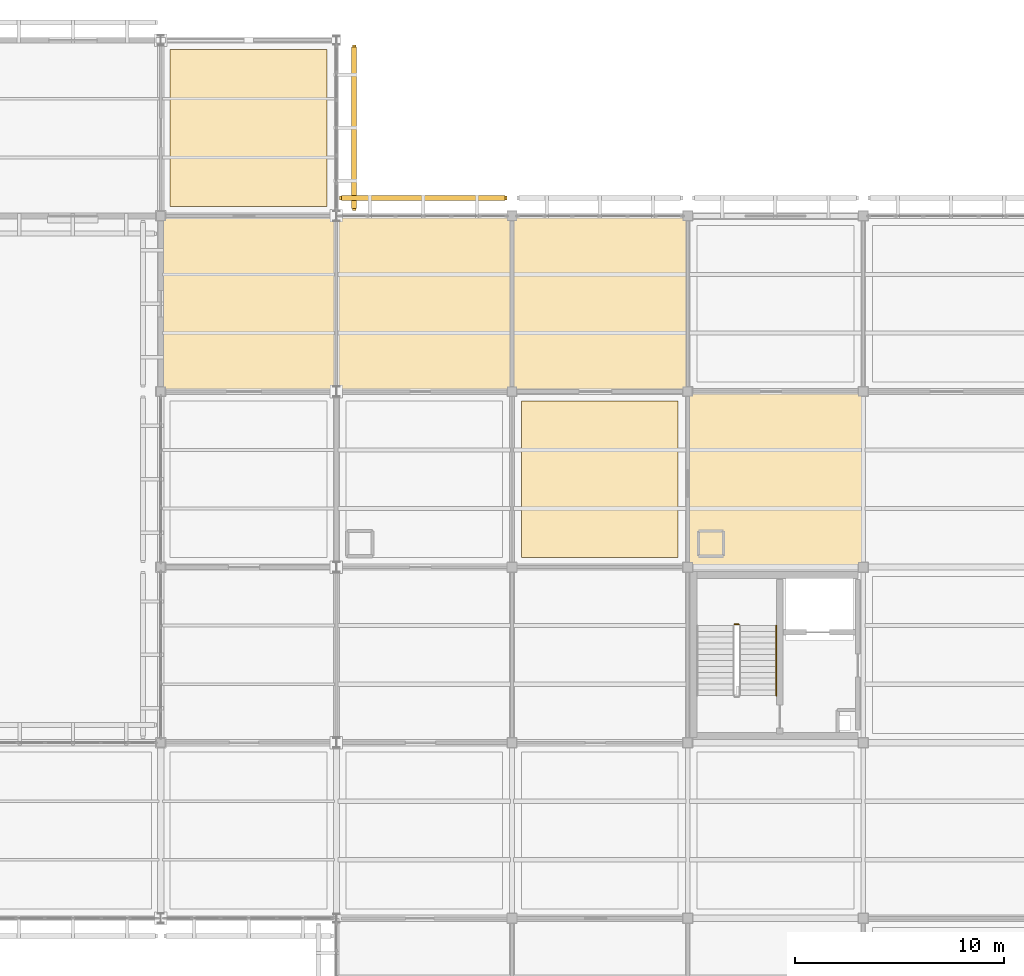
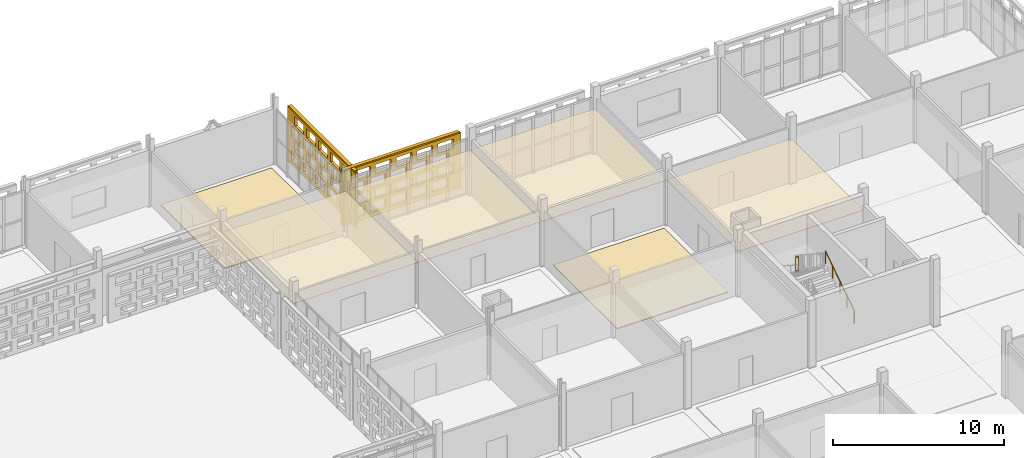
# One storey, part 200 of 203: 8 coverings, 2 railings, 2 shading devices, 40 openings.
"""IFC4 building model written with IfcOpenShell, lengths in metres."""

from ifc_helpers import new_model, si_unit, direction, frame, frame_2d, origin, origin_2d, place, context, subcontext, project, spatial, rectangle, circle, extrude, material, layer, layer_set, type_object, element, save


model = new_model("IFC4")

# Units and contexts
model_context = context("Model", 3, precision=1e-05, world=origin(), true_north=direction((0.0, 1.0)))
body_context = subcontext(model_context, "Body", "Model", "MODEL_VIEW")
ifc_project = project(units=[si_unit("LENGTHUNIT", "METRE"), si_unit("AREAUNIT", "SQUARE_METRE"), si_unit("VOLUMEUNIT", "CUBIC_METRE"), si_unit("PLANEANGLEUNIT", "RADIAN"), si_unit("MASSUNIT", "GRAM", prefix="KILO")], contexts=[model_context])

# Site, building, storey
site_placement = place(None, origin())
site = spatial("IfcSite", under=ifc_project, at=site_placement, CompositionType="ELEMENT")
building_placement = place(site_placement, origin())
building = spatial("IfcBuilding", under=site, at=building_placement, Name="Varnapada Polytechnic", CompositionType="ELEMENT")
storey_placement = place(building_placement, frame((0.0, 0.0, 4.800048828125)))
storey = spatial("IfcBuildingStorey", under=building, at=storey_placement, Name="L01", CompositionType="ELEMENT", Elevation=4.800048828125)

# Coverings
ifc_material_1 = material(Name="End-Grain Timber Studio Block Flooring", Category="wood")
ifc_layer_1 = layer(ifc_material_1, 0.054931640625)
ifc_layer_set_1 = layer_set([ifc_layer_1], Name="End-Grain Timber Studio Block Flooring")
covering_type_1 = type_object("IfcCoveringType", Name="Floor Finish FLR-04", PredefinedType="FLOORING", material=ifc_layer_set_1)
for number, where, z_axis, x_axis, name in (
    (1, (130.199951171875, 121.800048828125, 0.0), (0.0, 0.0, 1.0), (1.0, 0.0, 0.0), "L01 floor finish panel (16,15)"),
    (2, (147.0, 105.0, 0.0), (0.0, 0.0, 1.0), (1.0, 0.0, 0.0), "L01 floor finish panel (18,13)"),
):
    element("IfcCovering", number, at=place(storey_placement, frame(where, z_axis=z_axis, x_axis=x_axis)), inside=storey, type_object=covering_type_1, Name=name, PredefinedType="FLOORING", context=body_context, shape_type="SweptSolid", body=[
        extrude(rectangle(XDim=7.5, YDim=7.5, at=origin_2d()), origin(), (0.0, 0.0, 1.0), 0.054931640625),
    ])

# Railings
ifc_material_2 = material(Name="Brushed Stainless Steel 316", Category="steel")
railing_type_1 = type_object("IfcRailingType", Name="Stair Wall Handrail SHR-01", PredefinedType="HANDRAIL", material=ifc_material_2)
railing_1_placement = place(storey_placement, frame((155.449951171875, 94.64990234375, 0.1845703125)))
element("IfcRailing", 3, at=railing_1_placement, inside=storey, type_object=railing_type_1, Name="L01 ST-5 stair handrail 1", PredefinedType="HANDRAIL", context=body_context, shape_type="SweptSolid", body=[
    extrude(circle(Radius=0.02392578125, at=origin_2d()), frame((0.0, 0.0, 0.8759765625), z_axis=(0.0, 0.834876476806, 0.550437342915), x_axis=(-1.0, 0.0, 0.0)), (0.0, 0.0, 1.0), 4.024658203125),
    extrude(circle(Radius=0.02099609375, at=origin_2d()), origin(), (0.0, 0.0, 1.0), 0.851806640625),
    extrude(circle(Radius=0.02099609375, at=origin_2d()), frame((0.0, 0.840087890625, 0.5537109375)), (0.0, 0.0, 1.0), 0.851806640625),
    extrude(circle(Radius=0.02099609375, at=origin_2d()), frame((0.0, 1.68017578125, 1.107666015625)), (0.0, 0.0, 1.0), 0.851806640625),
    extrude(circle(Radius=0.02099609375, at=origin_2d()), frame((0.0, 2.52001953125, 1.66162109375)), (0.0, 0.0, 1.0), 0.851806640625),
    extrude(circle(Radius=0.02099609375, at=origin_2d()), frame((0.0, 3.360107421875, 2.21533203125)), (0.0, 0.0, 1.0), 0.851806640625),
])
railing_type_2 = type_object("IfcRailingType", Name="Stair Well Guard Rail SGR-01", PredefinedType="BALUSTRADE", material=ifc_material_2)
railing_2_placement = place(storey_placement, frame((153.64990234375, 98.06005859375, 2.39990234375)))
element("IfcRailing", 4, at=railing_2_placement, inside=storey, type_object=railing_type_2, Name="L01 ST-5 stair guard 2", PredefinedType="BALUSTRADE", context=body_context, shape_type="SweptSolid", body=[
    extrude(circle(Radius=0.02392578125, at=origin_2d()), frame((0.0, 0.0, 1.09619140625), z_axis=(-1.0, 0.0, 0.0), x_axis=(0.0, -1.0, 0.0)), (0.0, 0.0, 1.0), 0.199951171875),
    extrude(circle(Radius=0.02392578125, at=origin_2d()), frame((0.0, 0.0, 0.10009765625), z_axis=(-1.0, 0.0, 0.0), x_axis=(0.0, -1.0, 0.0)), (0.0, 0.0, 1.0), 0.199951171875),
    extrude(circle(Radius=0.02099609375, at=origin_2d()), origin(), (0.0, 0.0, 1.0), 1.072021484375),
    extrude(circle(Radius=0.02099609375, at=origin_2d()), frame((-0.199951171875, 0.0, 0.0)), (0.0, 0.0, 1.0), 1.072021484375),
])

# Coverings
ifc_material_3 = material(Name="Mineral Fibre Acoustic Ceiling Tile")
ifc_layer_2 = layer(ifc_material_3, 0.0400390625)
ifc_layer_set_2 = layer_set([ifc_layer_2], Name="Mineral Fibre Acoustic Ceiling Tile")
covering_type_2 = type_object("IfcCoveringType", Name="Suspended Ceiling CLG-01", PredefinedType="CEILING", material=ifc_layer_set_2)
covering_1_placement = place(storey_placement, frame((147.0, 113.39990234375, 3.030029296875), z_axis=(0.0, 0.0, 1.0), x_axis=(1.0, 0.0, 0.0)))
element("IfcCovering", 5, at=covering_1_placement, inside=storey, type_object=covering_type_2, Name="L01 suspended acoustic ceiling (18,14)", PredefinedType="CEILING", context=body_context, shape_type="SweptSolid", body=[
    extrude(rectangle(XDim=8.419921875, YDim=8.419921875, at=origin_2d()), origin(), (0.0, 0.0, 1.0), 0.0400390625),
])
ifc_material_4 = material(Name="Moisture-Resistant Aluminum Baffle Ceiling", Category="aluminium")
ifc_layer_3 = layer(ifc_material_4, 0.030029296875)
ifc_layer_set_3 = layer_set([ifc_layer_3], Name="Moisture-Resistant Aluminum Baffle Ceiling")
covering_type_3 = type_object("IfcCoveringType", Name="Suspended Ceiling CLG-03", PredefinedType="CEILING", material=ifc_layer_set_3)
for number, where, z_axis, x_axis, name in (
    (6, (130.199951171875, 113.39990234375, 3.03515625), (0.0, 0.0, 1.0), (1.0, 0.0, 0.0), "L01 suspended acoustic ceiling (16,14)"),
    (7, (138.60009765625, 113.39990234375, 3.03515625), (0.0, 0.0, 1.0), (1.0, 0.0, 0.0), "L01 suspended acoustic ceiling (17,14)"),
):
    element("IfcCovering", number, at=place(storey_placement, frame(where, z_axis=z_axis, x_axis=x_axis)), inside=storey, type_object=covering_type_3, Name=name, PredefinedType="CEILING", context=body_context, shape_type="SweptSolid", body=[
        extrude(rectangle(XDim=8.419921875, YDim=8.419921875, at=origin_2d()), origin(), (0.0, 0.0, 1.0), 0.030029296875),
    ])
ifc_material_5 = material(Name="Micro-Perforated Gypsum Acoustic Ceiling")
ifc_layer_4 = layer(ifc_material_5, 0.044921875)
ifc_layer_set_4 = layer_set([ifc_layer_4], Name="Micro-Perforated Gypsum Acoustic Ceiling")
covering_type_4 = type_object("IfcCoveringType", Name="Suspended Ceiling CLG-04", PredefinedType="CEILING", material=ifc_layer_set_4)
covering_2_placement = place(storey_placement, frame((155.39990234375, 105.0, 3.027587890625), z_axis=(0.0, 0.0, 1.0), x_axis=(1.0, 0.0, 0.0)))
element("IfcCovering", 8, at=covering_2_placement, inside=storey, type_object=covering_type_4, Name="L01 suspended acoustic ceiling (19,13)", PredefinedType="CEILING", context=body_context, shape_type="SweptSolid", body=[
    extrude(rectangle(XDim=8.419921875, YDim=8.419921875, at=origin_2d()), origin(), (0.0, 0.0, 1.0), 0.044921875),
])

# Covering, openings
ifc_material_6 = material(Name="Earth-toned architectural terracotta screen block", Category="masonry")
ifc_layer_5 = layer(ifc_material_6, 0.1201171875)
ifc_layer_set_5 = layer_set([ifc_layer_5], Name="Earth-toned architectural terracotta screen block")
covering_type_5 = type_object("IfcCoveringType", Name="Terracotta Screen Cladding CLD-01", PredefinedType="CLADDING", material=ifc_layer_set_5)
covering_3_placement = place(storey_placement, frame((135.25, 125.780029296875, 0.0), z_axis=(0.0, 0.0, 1.0), x_axis=(0.0, -1.0, 0.0)))
covering_3 = element("IfcCovering", 9, at=covering_3_placement, inside=storey, type_object=covering_type_5, Name="L01 perforated terracotta block screen (112)", PredefinedType="CLADDING", context=body_context, shape_type="SweptSolid", body=[
    extrude(rectangle(XDim=7.929931640625, YDim=0.179931640625, at=frame_2d((3.96484375, 0.0))), origin(), (0.0, 0.0, 1.0), 3.919921875),
])
opening_1_placement = place(covering_3_placement, frame((0.465087890625, 0.0, 0.313720703125)))
element("IfcOpeningElement", 10, at=opening_1_placement, cuts=covering_3, Name="Screen perforation TBS-L01-111.1", PredefinedType="OPENING", context=body_context, shape_type="SweptSolid", body=[
    extrude(rectangle(XDim=1.0400390625, YDim=0.679931640625, at=frame_2d((0.52001953125, 0.33984375))), frame((0.0, 0.099853515625, 0.0), z_axis=(0.0, -1.0, 0.0), x_axis=(1.0, 0.0, 0.0)), (0.0, 0.0, 1.0), 0.199951171875),
])
opening_2_placement = place(covering_3_placement, frame((1.864990234375, 0.0, 0.313720703125)))
element("IfcOpeningElement", 11, at=opening_2_placement, cuts=covering_3, Name="Screen perforation TBS-L01-111.2", PredefinedType="OPENING", context=body_context, shape_type="SweptSolid", body=[
    extrude(rectangle(XDim=1.0400390625, YDim=0.679931640625, at=frame_2d((0.52001953125, 0.33984375))), frame((0.0, 0.099853515625, 0.0), z_axis=(0.0, -1.0, 0.0), x_axis=(1.0, 0.0, 0.0)), (0.0, 0.0, 1.0), 0.199951171875),
])
opening_3_placement = place(covering_3_placement, frame((3.264892578125, 0.0, 0.313720703125)))
element("IfcOpeningElement", 12, at=opening_3_placement, cuts=covering_3, Name="Screen perforation TBS-L01-111.3", PredefinedType="OPENING", context=body_context, shape_type="SweptSolid", body=[
    extrude(rectangle(XDim=1.0400390625, YDim=0.679931640625, at=frame_2d((0.52001953125, 0.33984375))), frame((0.0, 0.099853515625, 0.0), z_axis=(0.0, -1.0, 0.0), x_axis=(1.0, 0.0, 0.0)), (0.0, 0.0, 1.0), 0.199951171875),
])
opening_4_placement = place(covering_3_placement, frame((4.6650390625, 0.0, 0.313720703125)))
element("IfcOpeningElement", 13, at=opening_4_placement, cuts=covering_3, Name="Screen perforation TBS-L01-111.4", PredefinedType="OPENING", context=body_context, shape_type="SweptSolid", body=[
    extrude(rectangle(XDim=1.0400390625, YDim=0.679931640625, at=frame_2d((0.52001953125, 0.33984375))), frame((0.0, 0.099853515625, 0.0), z_axis=(0.0, -1.0, 0.0), x_axis=(1.0, 0.0, 0.0)), (0.0, 0.0, 1.0), 0.199951171875),
])
opening_5_placement = place(covering_3_placement, frame((6.06494140625, 0.0, 0.313720703125)))
element("IfcOpeningElement", 14, at=opening_5_placement, cuts=covering_3, Name="Screen perforation TBS-L01-111.5", PredefinedType="OPENING", context=body_context, shape_type="SweptSolid", body=[
    extrude(rectangle(XDim=1.0400390625, YDim=0.679931640625, at=frame_2d((0.52001953125, 0.33984375))), frame((0.0, 0.099853515625, 0.0), z_axis=(0.0, -1.0, 0.0), x_axis=(1.0, 0.0, 0.0)), (0.0, 0.0, 1.0), 0.199951171875),
])
opening_6_placement = place(covering_3_placement, frame((0.824951171875, 0.0, 1.195556640625)))
element("IfcOpeningElement", 15, at=opening_6_placement, cuts=covering_3, Name="Screen perforation TBS-L01-111.6", PredefinedType="OPENING", context=body_context, shape_type="SweptSolid", body=[
    extrude(rectangle(XDim=1.0400390625, YDim=0.679931640625, at=frame_2d((0.52001953125, 0.33984375))), frame((0.0, 0.099853515625, 0.0), z_axis=(0.0, -1.0, 0.0), x_axis=(1.0, 0.0, 0.0)), (0.0, 0.0, 1.0), 0.199951171875),
])
opening_7_placement = place(covering_3_placement, frame((2.22509765625, 0.0, 1.195556640625)))
element("IfcOpeningElement", 16, at=opening_7_placement, cuts=covering_3, Name="Screen perforation TBS-L01-111.7", PredefinedType="OPENING", context=body_context, shape_type="SweptSolid", body=[
    extrude(rectangle(XDim=1.0400390625, YDim=0.679931640625, at=frame_2d((0.52001953125, 0.33984375))), frame((0.0, 0.099853515625, 0.0), z_axis=(0.0, -1.0, 0.0), x_axis=(1.0, 0.0, 0.0)), (0.0, 0.0, 1.0), 0.199951171875),
])
opening_8_placement = place(covering_3_placement, frame((3.625, 0.0, 1.195556640625)))
element("IfcOpeningElement", 17, at=opening_8_placement, cuts=covering_3, Name="Screen perforation TBS-L01-111.8", PredefinedType="OPENING", context=body_context, shape_type="SweptSolid", body=[
    extrude(rectangle(XDim=1.0400390625, YDim=0.679931640625, at=frame_2d((0.52001953125, 0.33984375))), frame((0.0, 0.099853515625, 0.0), z_axis=(0.0, -1.0, 0.0), x_axis=(1.0, 0.0, 0.0)), (0.0, 0.0, 1.0), 0.199951171875),
])
opening_9_placement = place(covering_3_placement, frame((5.02490234375, 0.0, 1.195556640625)))
element("IfcOpeningElement", 18, at=opening_9_placement, cuts=covering_3, Name="Screen perforation TBS-L01-111.9", PredefinedType="OPENING", context=body_context, shape_type="SweptSolid", body=[
    extrude(rectangle(XDim=1.0400390625, YDim=0.679931640625, at=frame_2d((0.52001953125, 0.33984375))), frame((0.0, 0.099853515625, 0.0), z_axis=(0.0, -1.0, 0.0), x_axis=(1.0, 0.0, 0.0)), (0.0, 0.0, 1.0), 0.199951171875),
])
opening_10_placement = place(covering_3_placement, frame((6.425048828125, 0.0, 1.195556640625)))
element("IfcOpeningElement", 19, at=opening_10_placement, cuts=covering_3, Name="Screen perforation TBS-L01-111.10", PredefinedType="OPENING", context=body_context, shape_type="SweptSolid", body=[
    extrude(rectangle(XDim=1.0400390625, YDim=0.679931640625, at=frame_2d((0.52001953125, 0.33984375))), frame((0.0, 0.099853515625, 0.0), z_axis=(0.0, -1.0, 0.0), x_axis=(1.0, 0.0, 0.0)), (0.0, 0.0, 1.0), 0.199951171875),
])
opening_11_placement = place(covering_3_placement, frame((0.465087890625, 0.0, 2.07763671875)))
element("IfcOpeningElement", 20, at=opening_11_placement, cuts=covering_3, Name="Screen perforation TBS-L01-111.11", PredefinedType="OPENING", context=body_context, shape_type="SweptSolid", body=[
    extrude(rectangle(XDim=1.0400390625, YDim=0.679931640625, at=frame_2d((0.52001953125, 0.33984375))), frame((0.0, 0.099853515625, 0.0), z_axis=(0.0, -1.0, 0.0), x_axis=(1.0, 0.0, 0.0)), (0.0, 0.0, 1.0), 0.199951171875),
])
opening_12_placement = place(covering_3_placement, frame((1.864990234375, 0.0, 2.07763671875)))
element("IfcOpeningElement", 21, at=opening_12_placement, cuts=covering_3, Name="Screen perforation TBS-L01-111.12", PredefinedType="OPENING", context=body_context, shape_type="SweptSolid", body=[
    extrude(rectangle(XDim=1.0400390625, YDim=0.679931640625, at=frame_2d((0.52001953125, 0.33984375))), frame((0.0, 0.099853515625, 0.0), z_axis=(0.0, -1.0, 0.0), x_axis=(1.0, 0.0, 0.0)), (0.0, 0.0, 1.0), 0.199951171875),
])
opening_13_placement = place(covering_3_placement, frame((3.264892578125, 0.0, 2.07763671875)))
element("IfcOpeningElement", 22, at=opening_13_placement, cuts=covering_3, Name="Screen perforation TBS-L01-111.13", PredefinedType="OPENING", context=body_context, shape_type="SweptSolid", body=[
    extrude(rectangle(XDim=1.0400390625, YDim=0.679931640625, at=frame_2d((0.52001953125, 0.33984375))), frame((0.0, 0.099853515625, 0.0), z_axis=(0.0, -1.0, 0.0), x_axis=(1.0, 0.0, 0.0)), (0.0, 0.0, 1.0), 0.199951171875),
])
opening_14_placement = place(covering_3_placement, frame((4.6650390625, 0.0, 2.07763671875)))
element("IfcOpeningElement", 23, at=opening_14_placement, cuts=covering_3, Name="Screen perforation TBS-L01-111.14", PredefinedType="OPENING", context=body_context, shape_type="SweptSolid", body=[
    extrude(rectangle(XDim=1.0400390625, YDim=0.679931640625, at=frame_2d((0.52001953125, 0.33984375))), frame((0.0, 0.099853515625, 0.0), z_axis=(0.0, -1.0, 0.0), x_axis=(1.0, 0.0, 0.0)), (0.0, 0.0, 1.0), 0.199951171875),
])
opening_15_placement = place(covering_3_placement, frame((6.06494140625, 0.0, 2.07763671875)))
element("IfcOpeningElement", 24, at=opening_15_placement, cuts=covering_3, Name="Screen perforation TBS-L01-111.15", PredefinedType="OPENING", context=body_context, shape_type="SweptSolid", body=[
    extrude(rectangle(XDim=1.0400390625, YDim=0.679931640625, at=frame_2d((0.52001953125, 0.33984375))), frame((0.0, 0.099853515625, 0.0), z_axis=(0.0, -1.0, 0.0), x_axis=(1.0, 0.0, 0.0)), (0.0, 0.0, 1.0), 0.199951171875),
])
opening_16_placement = place(covering_3_placement, frame((0.824951171875, 0.0, 2.959716796875)))
element("IfcOpeningElement", 25, at=opening_16_placement, cuts=covering_3, Name="Screen perforation TBS-L01-111.16", PredefinedType="OPENING", context=body_context, shape_type="SweptSolid", body=[
    extrude(rectangle(XDim=1.0400390625, YDim=0.679931640625, at=frame_2d((0.52001953125, 0.33984375))), frame((0.0, 0.099853515625, 0.0), z_axis=(0.0, -1.0, 0.0), x_axis=(1.0, 0.0, 0.0)), (0.0, 0.0, 1.0), 0.199951171875),
])
opening_17_placement = place(covering_3_placement, frame((2.22509765625, 0.0, 2.959716796875)))
element("IfcOpeningElement", 26, at=opening_17_placement, cuts=covering_3, Name="Screen perforation TBS-L01-111.17", PredefinedType="OPENING", context=body_context, shape_type="SweptSolid", body=[
    extrude(rectangle(XDim=1.0400390625, YDim=0.679931640625, at=frame_2d((0.52001953125, 0.33984375))), frame((0.0, 0.099853515625, 0.0), z_axis=(0.0, -1.0, 0.0), x_axis=(1.0, 0.0, 0.0)), (0.0, 0.0, 1.0), 0.199951171875),
])
opening_18_placement = place(covering_3_placement, frame((3.625, 0.0, 2.959716796875)))
element("IfcOpeningElement", 27, at=opening_18_placement, cuts=covering_3, Name="Screen perforation TBS-L01-111.18", PredefinedType="OPENING", context=body_context, shape_type="SweptSolid", body=[
    extrude(rectangle(XDim=1.0400390625, YDim=0.679931640625, at=frame_2d((0.52001953125, 0.33984375))), frame((0.0, 0.099853515625, 0.0), z_axis=(0.0, -1.0, 0.0), x_axis=(1.0, 0.0, 0.0)), (0.0, 0.0, 1.0), 0.199951171875),
])
opening_19_placement = place(covering_3_placement, frame((5.02490234375, 0.0, 2.959716796875)))
element("IfcOpeningElement", 28, at=opening_19_placement, cuts=covering_3, Name="Screen perforation TBS-L01-111.19", PredefinedType="OPENING", context=body_context, shape_type="SweptSolid", body=[
    extrude(rectangle(XDim=1.0400390625, YDim=0.679931640625, at=frame_2d((0.52001953125, 0.33984375))), frame((0.0, 0.099853515625, 0.0), z_axis=(0.0, -1.0, 0.0), x_axis=(1.0, 0.0, 0.0)), (0.0, 0.0, 1.0), 0.199951171875),
])
opening_20_placement = place(covering_3_placement, frame((6.425048828125, 0.0, 2.959716796875)))
element("IfcOpeningElement", 29, at=opening_20_placement, cuts=covering_3, Name="Screen perforation TBS-L01-111.20", PredefinedType="OPENING", context=body_context, shape_type="SweptSolid", body=[
    extrude(rectangle(XDim=1.0400390625, YDim=0.679931640625, at=frame_2d((0.52001953125, 0.33984375))), frame((0.0, 0.099853515625, 0.0), z_axis=(0.0, -1.0, 0.0), x_axis=(1.0, 0.0, 0.0)), (0.0, 0.0, 1.0), 0.199951171875),
])

covering_4_placement = place(storey_placement, frame((134.550048828125, 118.449951171875, 0.0), z_axis=(0.0, 0.0, 1.0), x_axis=(1.0, 0.0, 0.0)))
covering_4 = element("IfcCovering", 30, at=covering_4_placement, inside=storey, type_object=covering_type_5, Name="L01 perforated terracotta block screen (119)", PredefinedType="CLADDING", context=body_context, shape_type="SweptSolid", body=[
    extrude(rectangle(XDim=8.02001953125, YDim=0.179931640625, at=frame_2d((4.010009765625, 0.0))), origin(), (0.0, 0.0, 1.0), 3.919921875),
])
opening_21_placement = place(covering_4_placement, frame((0.510009765625, 0.0, 0.313720703125)))
element("IfcOpeningElement", 31, at=opening_21_placement, cuts=covering_4, Name="Screen perforation TBS-L01-118.1", PredefinedType="OPENING", context=body_context, shape_type="SweptSolid", body=[
    extrude(rectangle(XDim=1.0400390625, YDim=0.679931640625, at=frame_2d((0.52001953125, 0.33984375))), frame((0.0, 0.099853515625, 0.0), z_axis=(0.0, -1.0, 0.0), x_axis=(1.0, 0.0, 0.0)), (0.0, 0.0, 1.0), 0.199951171875),
])
opening_22_placement = place(covering_4_placement, frame((1.909912109375, 0.0, 0.313720703125)))
element("IfcOpeningElement", 32, at=opening_22_placement, cuts=covering_4, Name="Screen perforation TBS-L01-118.2", PredefinedType="OPENING", context=body_context, shape_type="SweptSolid", body=[
    extrude(rectangle(XDim=1.0400390625, YDim=0.679931640625, at=frame_2d((0.52001953125, 0.33984375))), frame((0.0, 0.099853515625, 0.0), z_axis=(0.0, -1.0, 0.0), x_axis=(1.0, 0.0, 0.0)), (0.0, 0.0, 1.0), 0.199951171875),
])
opening_23_placement = place(covering_4_placement, frame((3.31005859375, 0.0, 0.313720703125)))
element("IfcOpeningElement", 33, at=opening_23_placement, cuts=covering_4, Name="Screen perforation TBS-L01-118.3", PredefinedType="OPENING", context=body_context, shape_type="SweptSolid", body=[
    extrude(rectangle(XDim=1.0400390625, YDim=0.679931640625, at=frame_2d((0.52001953125, 0.33984375))), frame((0.0, 0.099853515625, 0.0), z_axis=(0.0, -1.0, 0.0), x_axis=(1.0, 0.0, 0.0)), (0.0, 0.0, 1.0), 0.199951171875),
])
opening_24_placement = place(covering_4_placement, frame((4.7099609375, 0.0, 0.313720703125)))
element("IfcOpeningElement", 34, at=opening_24_placement, cuts=covering_4, Name="Screen perforation TBS-L01-118.4", PredefinedType="OPENING", context=body_context, shape_type="SweptSolid", body=[
    extrude(rectangle(XDim=1.0400390625, YDim=0.679931640625, at=frame_2d((0.52001953125, 0.33984375))), frame((0.0, 0.099853515625, 0.0), z_axis=(0.0, -1.0, 0.0), x_axis=(1.0, 0.0, 0.0)), (0.0, 0.0, 1.0), 0.199951171875),
])
opening_25_placement = place(covering_4_placement, frame((6.110107421875, 0.0, 0.313720703125)))
element("IfcOpeningElement", 35, at=opening_25_placement, cuts=covering_4, Name="Screen perforation TBS-L01-118.5", PredefinedType="OPENING", context=body_context, shape_type="SweptSolid", body=[
    extrude(rectangle(XDim=1.0400390625, YDim=0.679931640625, at=frame_2d((0.52001953125, 0.33984375))), frame((0.0, 0.099853515625, 0.0), z_axis=(0.0, -1.0, 0.0), x_axis=(1.0, 0.0, 0.0)), (0.0, 0.0, 1.0), 0.199951171875),
])
opening_26_placement = place(covering_4_placement, frame((0.8701171875, 0.0, 1.195556640625)))
element("IfcOpeningElement", 36, at=opening_26_placement, cuts=covering_4, Name="Screen perforation TBS-L01-118.6", PredefinedType="OPENING", context=body_context, shape_type="SweptSolid", body=[
    extrude(rectangle(XDim=1.0400390625, YDim=0.679931640625, at=frame_2d((0.52001953125, 0.33984375))), frame((0.0, 0.099853515625, 0.0), z_axis=(0.0, -1.0, 0.0), x_axis=(1.0, 0.0, 0.0)), (0.0, 0.0, 1.0), 0.199951171875),
])
opening_27_placement = place(covering_4_placement, frame((2.27001953125, 0.0, 1.195556640625)))
element("IfcOpeningElement", 37, at=opening_27_placement, cuts=covering_4, Name="Screen perforation TBS-L01-118.7", PredefinedType="OPENING", context=body_context, shape_type="SweptSolid", body=[
    extrude(rectangle(XDim=1.0400390625, YDim=0.679931640625, at=frame_2d((0.52001953125, 0.33984375))), frame((0.0, 0.099853515625, 0.0), z_axis=(0.0, -1.0, 0.0), x_axis=(1.0, 0.0, 0.0)), (0.0, 0.0, 1.0), 0.199951171875),
])
opening_28_placement = place(covering_4_placement, frame((3.669921875, 0.0, 1.195556640625)))
element("IfcOpeningElement", 38, at=opening_28_placement, cuts=covering_4, Name="Screen perforation TBS-L01-118.8", PredefinedType="OPENING", context=body_context, shape_type="SweptSolid", body=[
    extrude(rectangle(XDim=1.0400390625, YDim=0.679931640625, at=frame_2d((0.52001953125, 0.33984375))), frame((0.0, 0.099853515625, 0.0), z_axis=(0.0, -1.0, 0.0), x_axis=(1.0, 0.0, 0.0)), (0.0, 0.0, 1.0), 0.199951171875),
])
opening_29_placement = place(covering_4_placement, frame((5.070068359375, 0.0, 1.195556640625)))
element("IfcOpeningElement", 39, at=opening_29_placement, cuts=covering_4, Name="Screen perforation TBS-L01-118.9", PredefinedType="OPENING", context=body_context, shape_type="SweptSolid", body=[
    extrude(rectangle(XDim=1.0400390625, YDim=0.679931640625, at=frame_2d((0.52001953125, 0.33984375))), frame((0.0, 0.099853515625, 0.0), z_axis=(0.0, -1.0, 0.0), x_axis=(1.0, 0.0, 0.0)), (0.0, 0.0, 1.0), 0.199951171875),
])
opening_30_placement = place(covering_4_placement, frame((6.469970703125, 0.0, 1.195556640625)))
element("IfcOpeningElement", 40, at=opening_30_placement, cuts=covering_4, Name="Screen perforation TBS-L01-118.10", PredefinedType="OPENING", context=body_context, shape_type="SweptSolid", body=[
    extrude(rectangle(XDim=1.0400390625, YDim=0.679931640625, at=frame_2d((0.52001953125, 0.33984375))), frame((0.0, 0.099853515625, 0.0), z_axis=(0.0, -1.0, 0.0), x_axis=(1.0, 0.0, 0.0)), (0.0, 0.0, 1.0), 0.199951171875),
])
opening_31_placement = place(covering_4_placement, frame((0.510009765625, 0.0, 2.07763671875)))
element("IfcOpeningElement", 41, at=opening_31_placement, cuts=covering_4, Name="Screen perforation TBS-L01-118.11", PredefinedType="OPENING", context=body_context, shape_type="SweptSolid", body=[
    extrude(rectangle(XDim=1.0400390625, YDim=0.679931640625, at=frame_2d((0.52001953125, 0.33984375))), frame((0.0, 0.099853515625, 0.0), z_axis=(0.0, -1.0, 0.0), x_axis=(1.0, 0.0, 0.0)), (0.0, 0.0, 1.0), 0.199951171875),
])
opening_32_placement = place(covering_4_placement, frame((1.909912109375, 0.0, 2.07763671875)))
element("IfcOpeningElement", 42, at=opening_32_placement, cuts=covering_4, Name="Screen perforation TBS-L01-118.12", PredefinedType="OPENING", context=body_context, shape_type="SweptSolid", body=[
    extrude(rectangle(XDim=1.0400390625, YDim=0.679931640625, at=frame_2d((0.52001953125, 0.33984375))), frame((0.0, 0.099853515625, 0.0), z_axis=(0.0, -1.0, 0.0), x_axis=(1.0, 0.0, 0.0)), (0.0, 0.0, 1.0), 0.199951171875),
])
opening_33_placement = place(covering_4_placement, frame((3.31005859375, 0.0, 2.07763671875)))
element("IfcOpeningElement", 43, at=opening_33_placement, cuts=covering_4, Name="Screen perforation TBS-L01-118.13", PredefinedType="OPENING", context=body_context, shape_type="SweptSolid", body=[
    extrude(rectangle(XDim=1.0400390625, YDim=0.679931640625, at=frame_2d((0.52001953125, 0.33984375))), frame((0.0, 0.099853515625, 0.0), z_axis=(0.0, -1.0, 0.0), x_axis=(1.0, 0.0, 0.0)), (0.0, 0.0, 1.0), 0.199951171875),
])
opening_34_placement = place(covering_4_placement, frame((4.7099609375, 0.0, 2.07763671875)))
element("IfcOpeningElement", 44, at=opening_34_placement, cuts=covering_4, Name="Screen perforation TBS-L01-118.14", PredefinedType="OPENING", context=body_context, shape_type="SweptSolid", body=[
    extrude(rectangle(XDim=1.0400390625, YDim=0.679931640625, at=frame_2d((0.52001953125, 0.33984375))), frame((0.0, 0.099853515625, 0.0), z_axis=(0.0, -1.0, 0.0), x_axis=(1.0, 0.0, 0.0)), (0.0, 0.0, 1.0), 0.199951171875),
])
opening_35_placement = place(covering_4_placement, frame((6.110107421875, 0.0, 2.07763671875)))
element("IfcOpeningElement", 45, at=opening_35_placement, cuts=covering_4, Name="Screen perforation TBS-L01-118.15", PredefinedType="OPENING", context=body_context, shape_type="SweptSolid", body=[
    extrude(rectangle(XDim=1.0400390625, YDim=0.679931640625, at=frame_2d((0.52001953125, 0.33984375))), frame((0.0, 0.099853515625, 0.0), z_axis=(0.0, -1.0, 0.0), x_axis=(1.0, 0.0, 0.0)), (0.0, 0.0, 1.0), 0.199951171875),
])
opening_36_placement = place(covering_4_placement, frame((0.8701171875, 0.0, 2.959716796875)))
element("IfcOpeningElement", 46, at=opening_36_placement, cuts=covering_4, Name="Screen perforation TBS-L01-118.16", PredefinedType="OPENING", context=body_context, shape_type="SweptSolid", body=[
    extrude(rectangle(XDim=1.0400390625, YDim=0.679931640625, at=frame_2d((0.52001953125, 0.33984375))), frame((0.0, 0.099853515625, 0.0), z_axis=(0.0, -1.0, 0.0), x_axis=(1.0, 0.0, 0.0)), (0.0, 0.0, 1.0), 0.199951171875),
])
opening_37_placement = place(covering_4_placement, frame((2.27001953125, 0.0, 2.959716796875)))
element("IfcOpeningElement", 47, at=opening_37_placement, cuts=covering_4, Name="Screen perforation TBS-L01-118.17", PredefinedType="OPENING", context=body_context, shape_type="SweptSolid", body=[
    extrude(rectangle(XDim=1.0400390625, YDim=0.679931640625, at=frame_2d((0.52001953125, 0.33984375))), frame((0.0, 0.099853515625, 0.0), z_axis=(0.0, -1.0, 0.0), x_axis=(1.0, 0.0, 0.0)), (0.0, 0.0, 1.0), 0.199951171875),
])
opening_38_placement = place(covering_4_placement, frame((3.669921875, 0.0, 2.959716796875)))
element("IfcOpeningElement", 48, at=opening_38_placement, cuts=covering_4, Name="Screen perforation TBS-L01-118.18", PredefinedType="OPENING", context=body_context, shape_type="SweptSolid", body=[
    extrude(rectangle(XDim=1.0400390625, YDim=0.679931640625, at=frame_2d((0.52001953125, 0.33984375))), frame((0.0, 0.099853515625, 0.0), z_axis=(0.0, -1.0, 0.0), x_axis=(1.0, 0.0, 0.0)), (0.0, 0.0, 1.0), 0.199951171875),
])
opening_39_placement = place(covering_4_placement, frame((5.070068359375, 0.0, 2.959716796875)))
element("IfcOpeningElement", 49, at=opening_39_placement, cuts=covering_4, Name="Screen perforation TBS-L01-118.19", PredefinedType="OPENING", context=body_context, shape_type="SweptSolid", body=[
    extrude(rectangle(XDim=1.0400390625, YDim=0.679931640625, at=frame_2d((0.52001953125, 0.33984375))), frame((0.0, 0.099853515625, 0.0), z_axis=(0.0, -1.0, 0.0), x_axis=(1.0, 0.0, 0.0)), (0.0, 0.0, 1.0), 0.199951171875),
])
opening_40_placement = place(covering_4_placement, frame((6.469970703125, 0.0, 2.959716796875)))
element("IfcOpeningElement", 50, at=opening_40_placement, cuts=covering_4, Name="Screen perforation TBS-L01-118.20", PredefinedType="OPENING", context=body_context, shape_type="SweptSolid", body=[
    extrude(rectangle(XDim=1.0400390625, YDim=0.679931640625, at=frame_2d((0.52001953125, 0.33984375))), frame((0.0, 0.099853515625, 0.0), z_axis=(0.0, -1.0, 0.0), x_axis=(1.0, 0.0, 0.0)), (0.0, 0.0, 1.0), 0.199951171875),
])

# Shading devices
ifc_layer_6 = layer(ifc_material_6, 0.179931640625)
ifc_layer_set_6 = layer_set([ifc_layer_6], Name="Earth-toned architectural terracotta screen block")
shading_device_type = type_object("IfcShadingDeviceType", Name="Terracotta Screen SCR-02", PredefinedType="USERDEFINED", material=ifc_layer_set_6)
shading_device_1_placement = place(storey_placement, frame((135.25, 121.81494140625, 3.909912109375), z_axis=(0.0, 0.0, 1.0), x_axis=(0.0, -1.0, 0.0)))
element("IfcShadingDevice", 51, at=shading_device_1_placement, inside=storey, type_object=shading_device_type, Name="L01 perforated terracotta screen hood 190", ObjectType="SCREEN", PredefinedType="USERDEFINED", context=body_context, shape_type="SweptSolid", body=[
    extrude(rectangle(XDim=7.72998046875, YDim=0.239990234375, at=origin_2d()), origin(), (0.0, 0.0, 1.0), 0.10009765625),
])
shading_device_2_placement = place(storey_placement, frame((138.56005859375, 118.449951171875, 3.909912109375), z_axis=(0.0, 0.0, 1.0), x_axis=(1.0, 0.0, 0.0)))
element("IfcShadingDevice", 52, at=shading_device_2_placement, inside=storey, type_object=shading_device_type, Name="L01 perforated terracotta screen hood 197", ObjectType="SCREEN", PredefinedType="USERDEFINED", context=body_context, shape_type="SweptSolid", body=[
    extrude(rectangle(XDim=7.820068359375, YDim=0.239990234375, at=origin_2d()), origin(), (0.0, 0.0, 1.0), 0.10009765625),
])

save(model, "model.ifc")
